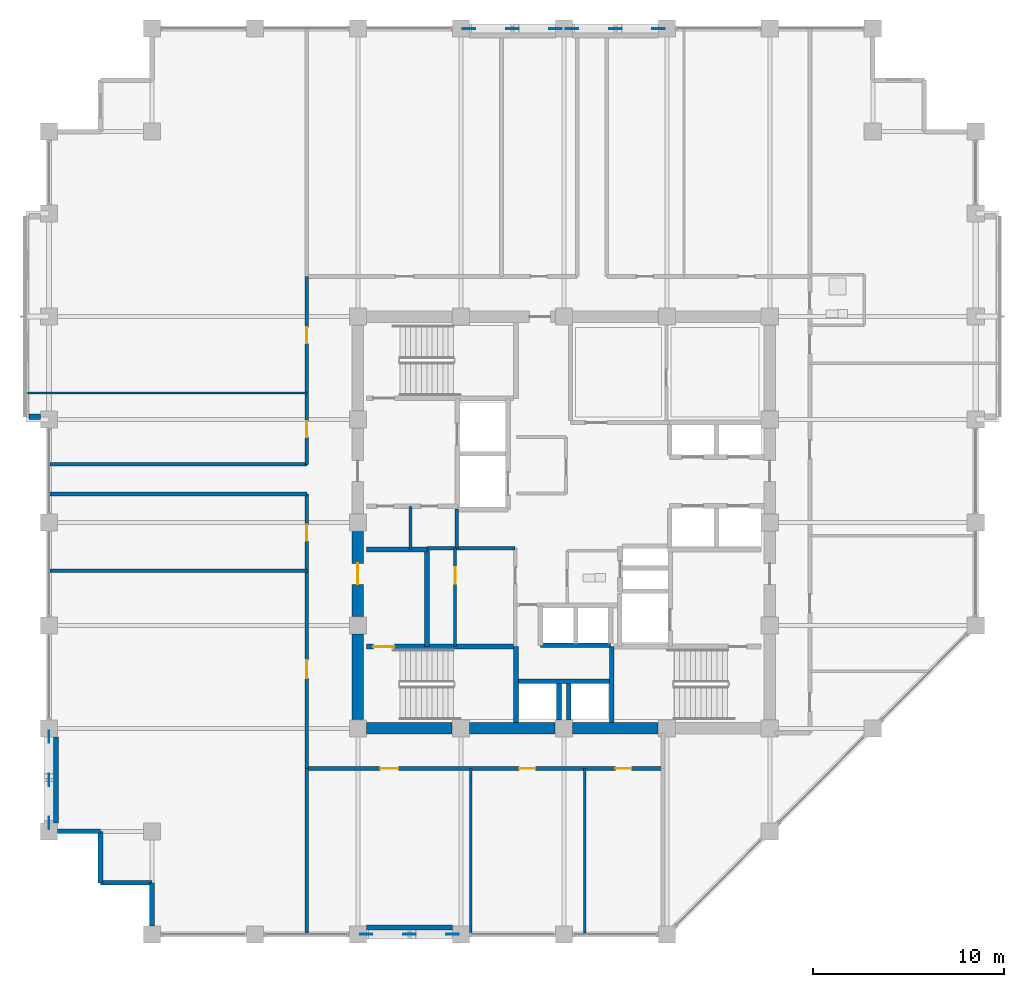
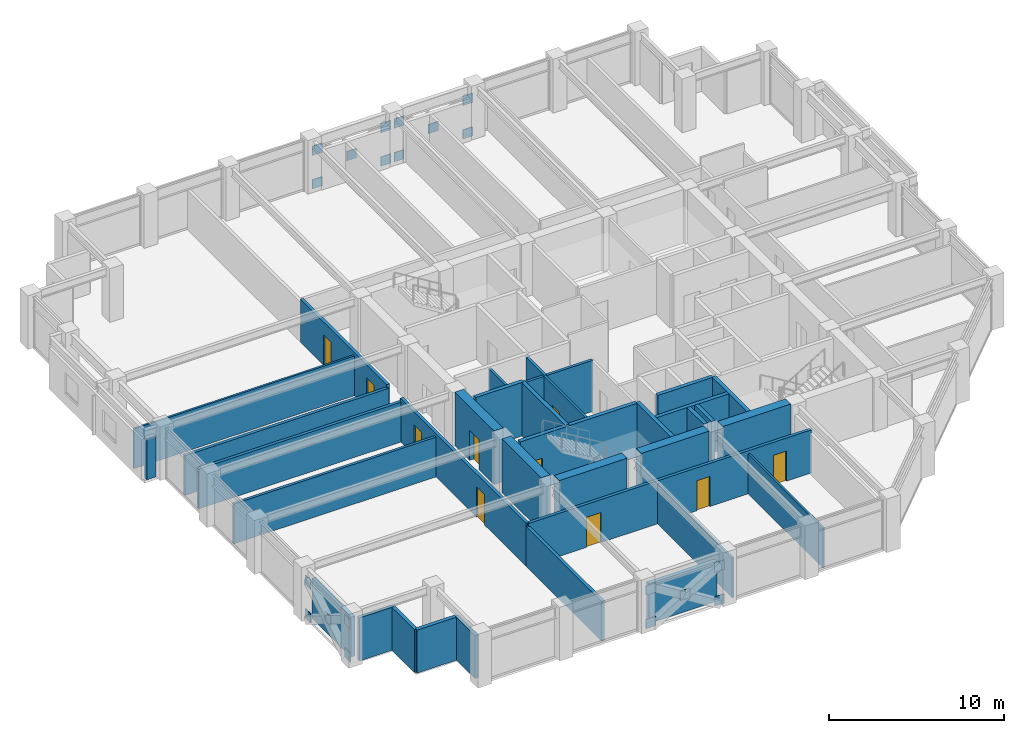
# One storey, part 26 of 32: 35 walls, 20 plates, 10 doors, 10 openings.
"""IFC4 building model written with IfcOpenShell, lengths in metres."""

import ifcopenshell
import ifcopenshell.guid

model = None  # the IFC model being written
_history = None  # IfcOwnerHistory: only IFC2X3 demands one
_inside = {}  # id of a spatial element -> (the spatial element, [elements in it])
_under = {}  # id of a project, library or spatial element -> (it, [spatial elements below it])
_declared = {}  # id of a project -> (the project, [libraries it declares])
_typed = {}  # id of a type object -> (the type object, [elements of that type])
_made_of = {}  # id of a material, layer set ... -> (it, [elements and type objects made of it])


def new_model(schema):
    """Start an empty IFC model of exactly this schema.

    Asked for "IFC4X3", IfcOpenShell would pick the latest addendum, in which some entities
    have other attributes; the version numbers below select the first issue.
    IFC2X3 requires an IfcOwnerHistory on every rooted entity: one is made here for all.
    """
    global model, _history
    if schema == "IFC4X3":
        model = ifcopenshell.file(schema_version=(4, 3, 0, 0))
    else:
        model = ifcopenshell.file(schema=schema)
    _inside.clear()
    _under.clear()
    _declared.clear()
    _typed.clear()
    _made_of.clear()
    _history = None
    if model.schema == "IFC2X3":
        org = make("IfcOrganization", Name="unknown")
        user = make(
            "IfcPersonAndOrganization",
            ThePerson=make("IfcPerson", FamilyName="unknown"),
            TheOrganization=org,
        )
        app = make(
            "IfcApplication",
            ApplicationDeveloper=org,
            Version="unknown",
            ApplicationFullName="unknown",
            ApplicationIdentifier="unknown",
        )
        _history = make(
            "IfcOwnerHistory",
            OwningUser=user,
            OwningApplication=app,
            ChangeAction="ADDED",
            CreationDate=0,
        )
    return model


def make(cls, **values):
    """One entity of the class cls with the attributes given. An attribute that is None is left unset."""
    return model.create_entity(
        cls, **{name: value for name, value in values.items() if value is not None}
    )


def rooted(cls, **values):
    """An entity with a GlobalId (a new one), such as an element, a storey or a relation."""
    return make(cls, GlobalId=ifcopenshell.guid.new(), OwnerHistory=_history, **values)


def si_unit(unit_type, name, prefix=None):
    """IfcSIUnit, for example si_unit("LENGTHUNIT", "METRE", prefix="MILLI")."""
    return make("IfcSIUnit", UnitType=unit_type, Prefix=prefix, Name=name)


def assignment(units):
    """IfcUnitAssignment: the units of a project."""
    return None if units is None else make("IfcUnitAssignment", Units=units)


def point(xyz):
    """IfcCartesianPoint."""
    return None if xyz is None else make("IfcCartesianPoint", Coordinates=xyz)


def direction(xyz):
    """IfcDirection."""
    return None if xyz is None else make("IfcDirection", DirectionRatios=xyz)


def frame(location, z_axis=None, x_axis=None):
    """IfcAxis2Placement3D, a coordinate frame: its origin and axes. An axis left out is left unset."""
    return make(
        "IfcAxis2Placement3D",
        Location=point(location),
        Axis=direction(z_axis),
        RefDirection=direction(x_axis),
    )


def frame_2d(location, x_axis=None):
    """IfcAxis2Placement2D, a coordinate frame in the plane: its origin and x axis."""
    return make(
        "IfcAxis2Placement2D", Location=point(location), RefDirection=direction(x_axis)
    )


def origin():
    """The frame at (0, 0, 0) with its axes left unset."""
    return frame((0.0, 0.0, 0.0))


def origin_2d():
    """The frame at (0, 0) in the plane with its x axis left unset."""
    return frame_2d((0.0, 0.0))


def place(relative_to, where):
    """IfcLocalPlacement: puts the frame where relative to a parent placement (None: the world)."""
    return make(
        "IfcLocalPlacement", PlacementRelTo=relative_to, RelativePlacement=where
    )


def context(
    kind, dimensions, precision=None, world=None, true_north=None, identifier=None
):
    """IfcGeometricRepresentationContext, for example the 3D "Model" context."""
    return make(
        "IfcGeometricRepresentationContext",
        ContextIdentifier=identifier,
        ContextType=kind,
        CoordinateSpaceDimension=dimensions,
        Precision=precision,
        WorldCoordinateSystem=world,
        TrueNorth=true_north,
    )


def subcontext(parent, identifier, kind, view, scale=None):
    """IfcGeometricRepresentationSubContext, for example "Body" below "Model"."""
    return make(
        "IfcGeometricRepresentationSubContext",
        ContextIdentifier=identifier,
        ContextType=kind,
        ParentContext=parent,
        TargetScale=scale,
        TargetView=view,
    )


def project(units=None, contexts=None):
    """IfcProject with its units and contexts."""
    return rooted(
        "IfcProject",
        Name="project",
        RepresentationContexts=contexts,
        UnitsInContext=assignment(units),
    )


def spatial(cls, under=None, at=None, **own):
    """A site, building, storey or space (cls), placed at a placement, below another one or the project."""
    s = rooted(cls, ObjectPlacement=at, **own)
    if under is not None:
        _under.setdefault(under.id(), (under, []))[1].append(s)
    return s


def profile(cls, at=None, kind="AREA", **sizes):
    """A parametric profile (cls). Its sizes go by their IFC names, for example OverallWidth=200.0."""
    return make(cls, ProfileType=kind, Position=at, **sizes)


def rectangle(**sizes):
    """IfcRectangleProfileDef."""
    return profile("IfcRectangleProfileDef", **sizes)


def extrude(swept, where, along, depth):
    """IfcExtrudedAreaSolid: the profile swept, set in the frame where, extruded along a direction by depth."""
    return make(
        "IfcExtrudedAreaSolid",
        SweptArea=swept,
        Position=where,
        ExtrudedDirection=direction(along),
        Depth=depth,
    )


def shape(context_of_items, identifier, shape_type, items):
    """IfcShapeRepresentation: the items that make up one representation, for example the "Body"."""
    return make(
        "IfcShapeRepresentation",
        ContextOfItems=context_of_items,
        RepresentationIdentifier=identifier,
        RepresentationType=shape_type,
        Items=items,
    )


def material(Name=None, Category=None):
    """IfcMaterial."""
    return make("IfcMaterial", Name=Name, Category=Category)


def layer(
    of_material, thickness, ventilated=None, Name=None, Category=None, Priority=None
):
    """IfcMaterialLayer: one layer of a wall or slab, of a material (None: an air gap)."""
    return make(
        "IfcMaterialLayer",
        Material=of_material,
        LayerThickness=thickness,
        IsVentilated=ventilated,
        Name=Name,
        Category=Category,
        Priority=Priority,
    )


def layer_set(layers, Name=None):
    """IfcMaterialLayerSet."""
    return make("IfcMaterialLayerSet", MaterialLayers=layers, LayerSetName=Name)


def made_of(thing, what):
    """Note that an element or type object is made of a material, layer set ...; save() writes the relation."""
    if what is not None:
        _made_of.setdefault(what.id(), (what, []))[1].append(thing)
    return thing


def type_object(cls, material=None, **own):
    """A type object (cls), such as IfcWallType, which elements share."""
    return made_of(rooted(cls, **own), material)


def element(
    cls,
    number,
    at=None,
    inside=None,
    cuts=None,
    type_object=None,
    material=None,
    context=None,
    identifier="Body",
    shape_type=None,
    held_by="IfcProductDefinitionShape",
    body=None,
    shapes=None,
    **own,
):
    """One element of the class cls, such as IfcWall. Its Tag is "e" and its number.

    at: its placement. inside: the storey or other place that contains it. cuts: it is an
    opening in that element (IfcRelVoidsElement). A single representation is given by context,
    identifier, shape_type and body (its items); several are given by shapes. held_by: the class
    of the entity that holds the representations. save() writes the other relations.
    """
    e = rooted(cls, Tag="e%d" % number, ObjectPlacement=at, **own)
    if body is not None:
        shapes = [shape(context, identifier, shape_type, body)]
    if shapes is not None:
        e.Representation = make(held_by, Representations=shapes)
    if inside is not None:
        _inside.setdefault(inside.id(), (inside, []))[1].append(e)
    if cuts is not None:
        rooted(
            "IfcRelVoidsElement", RelatingBuildingElement=cuts, RelatedOpeningElement=e
        )
    if type_object is not None:
        _typed.setdefault(type_object.id(), (type_object, []))[1].append(e)
    return made_of(e, material)


def fill(opening, filler):
    """IfcRelFillsElement: the door or window that sits in an opening."""
    return rooted(
        "IfcRelFillsElement",
        RelatingOpeningElement=opening,
        RelatedBuildingElement=filler,
    )


def aggregate(whole, parts):
    """IfcRelAggregates: a whole, such as a stair, and the parts it consists of."""
    return rooted("IfcRelAggregates", RelatingObject=whole, RelatedObjects=parts)


def save(model, path):
    """Write the relations noted so far, then the file.

    IfcRelAggregates (storeys below a building ...), IfcRelContainedInSpatialStructure (elements
    in a storey), IfcRelDefinesByType, IfcRelAssociatesMaterial and IfcRelDeclares: one each for
    every whole, place, type object, material and project.
    """
    for whole, parts in _under.values():
        aggregate(whole, parts)
    for where, things in _inside.values():
        rooted(
            "IfcRelContainedInSpatialStructure",
            RelatedElements=things,
            RelatingStructure=where,
        )
    for kind, things in _typed.values():
        rooted("IfcRelDefinesByType", RelatedObjects=things, RelatingType=kind)
    for what, things in _made_of.values():
        rooted("IfcRelAssociatesMaterial", RelatedObjects=things, RelatingMaterial=what)
    for by, libraries in _declared.values():
        rooted("IfcRelDeclares", RelatingContext=by, RelatedDefinitions=libraries)
    model.write(path)


model = new_model("IFC4")

# Units and contexts
model_context = context("Model", 3, precision=1e-05, world=origin(), true_north=direction((0.0, 1.0)))
body_context = subcontext(model_context, "Body", "Model", "MODEL_VIEW")
ifc_project = project(units=[si_unit("LENGTHUNIT", "METRE"), si_unit("AREAUNIT", "SQUARE_METRE"), si_unit("VOLUMEUNIT", "CUBIC_METRE"), si_unit("PLANEANGLEUNIT", "RADIAN"), si_unit("MASSUNIT", "GRAM", prefix="KILO")], contexts=[model_context])

# Site, building, storey
site_placement = place(None, origin())
site = spatial("IfcSite", under=ifc_project, at=site_placement, CompositionType="ELEMENT")
building_placement = place(site_placement, origin())
building = spatial("IfcBuilding", under=site, at=building_placement, Name="Surkhivell Harbour Commons", CompositionType="ELEMENT")
storey_placement = place(building_placement, frame((0.0, 0.0, 186.0)))
storey = spatial("IfcBuildingStorey", under=building, at=storey_placement, Name="L48", CompositionType="ELEMENT", Elevation=186.0)

# Plates
ifc_material_1 = material(Name="Steel S460", Category="steel")
ifc_layer_1 = layer(ifc_material_1, 0.044921875)
ifc_layer_set_1 = layer_set([ifc_layer_1], Name="Steel S460")
plate_type = type_object("IfcPlateType", Name="PLT-GUS-650", PredefinedType="USERDEFINED", material=ifc_layer_set_1)
for number, where, z_axis, x_axis, name in (
    (1, (-4.965087890625, 25.89990234375, -0.08935546875), (0.0, 0.0, 1.0), (1.0, 0.0, 0.0), "L48 Perimeter Mega-Brace MB- Corner Gusset N-1"),
    (2, (-0.43505859375, 25.89990234375, -0.08935546875), (0.0, 0.0, 1.0), (1.0, 0.0, 0.0), "L48 Perimeter Mega-Brace MB- Corner Gusset N-2"),
    (3, (-4.965087890625, 25.89990234375, 2.25146484375), (0.0, 0.0, 1.0), (1.0, 0.0, 0.0), "L48 Perimeter Mega-Brace MB- Corner Gusset N-3"),
    (4, (-0.43505859375, 25.89990234375, 2.25146484375), (0.0, 0.0, 1.0), (1.0, 0.0, 0.0), "L48 Perimeter Mega-Brace MB- Corner Gusset N-4"),
    (5, (-2.699951171875, 25.89990234375, 1.0810546875), (0.0, 0.0, 1.0), (1.0, 0.0, 0.0), "L48 Perimeter Mega-Brace MB- Central Crossing Gusset N"),
    (6, (0.43505859375, 25.89990234375, -0.08935546875), (0.0, 0.0, 1.0), (1.0, 0.0, 0.0), "L48 Perimeter Mega-Brace MB- Corner Gusset N2-1"),
    (7, (4.965087890625, 25.89990234375, -0.08935546875), (0.0, 0.0, 1.0), (1.0, 0.0, 0.0), "L48 Perimeter Mega-Brace MB- Corner Gusset N2-2"),
    (8, (0.43505859375, 25.89990234375, 2.25146484375), (0.0, 0.0, 1.0), (1.0, 0.0, 0.0), "L48 Perimeter Mega-Brace MB- Corner Gusset N2-3"),
    (9, (4.965087890625, 25.89990234375, 2.25146484375), (0.0, 0.0, 1.0), (1.0, 0.0, 0.0), "L48 Perimeter Mega-Brace MB- Corner Gusset N2-4"),
    (10, (2.699951171875, 25.89990234375, 1.0810546875), (0.0, 0.0, 1.0), (1.0, 0.0, 0.0), "L48 Perimeter Mega-Brace MB- Central Crossing Gusset N2"),
    (11, (-10.364990234375, -21.60009765625, -0.08935546875), (0.0, 0.0, 1.0), (1.0, 0.0, 0.0), "L48 Perimeter Mega-Brace MB- Corner Gusset S-1"),
    (12, (-5.8349609375, -21.60009765625, -0.08935546875), (0.0, 0.0, 1.0), (1.0, 0.0, 0.0), "L48 Perimeter Mega-Brace MB- Corner Gusset S-2"),
    (13, (-10.364990234375, -21.60009765625, 2.25146484375), (0.0, 0.0, 1.0), (1.0, 0.0, 0.0), "L48 Perimeter Mega-Brace MB- Corner Gusset S-3"),
    (14, (-5.8349609375, -21.60009765625, 2.25146484375), (0.0, 0.0, 1.0), (1.0, 0.0, 0.0), "L48 Perimeter Mega-Brace MB- Corner Gusset S-4"),
    (15, (-8.10009765625, -21.60009765625, 1.0810546875), (0.0, 0.0, 1.0), (1.0, 0.0, 0.0), "L48 Perimeter Mega-Brace MB- Central Crossing Gusset S"),
    (16, (-27.0, -15.764892578125, -0.08935546875), (0.0, 0.0, 1.0), (0.0, 1.0, 0.0), "L48 Perimeter Mega-Brace MB- Corner Gusset W-1"),
    (17, (-27.0, -11.235107421875, -0.08935546875), (0.0, 0.0, 1.0), (0.0, 1.0, 0.0), "L48 Perimeter Mega-Brace MB- Corner Gusset W-2"),
    (18, (-27.0, -15.764892578125, 2.25146484375), (0.0, 0.0, 1.0), (0.0, 1.0, 0.0), "L48 Perimeter Mega-Brace MB- Corner Gusset W-3"),
    (19, (-27.0, -11.235107421875, 2.25146484375), (0.0, 0.0, 1.0), (0.0, 1.0, 0.0), "L48 Perimeter Mega-Brace MB- Corner Gusset W-4"),
    (20, (-27.0, -13.5, 1.0810546875), (0.0, 0.0, 1.0), (0.0, 1.0, 0.0), "L48 Perimeter Mega-Brace MB- Central Crossing Gusset W"),
):
    element("IfcPlate", number, at=place(storey_placement, frame(where, z_axis=z_axis, x_axis=x_axis)), inside=storey, type_object=plate_type, Name=name, ObjectType="GUSSET_PLATE", PredefinedType="USERDEFINED", context=body_context, shape_type="SweptSolid", body=[
        extrude(rectangle(XDim=0.64990234375, YDim=0.044921875, at=origin_2d()), origin(), (0.0, 0.0, 1.0), 0.64990234375),
    ])

# Walls
ifc_material_2 = material(Name="Concrete C60/75", Category="concrete")
ifc_layer_2 = layer(ifc_material_2, 0.60009765625)
ifc_layer_set_2 = layer_set([ifc_layer_2], Name="Concrete C60/75")
wall_type_1 = type_object("IfcWallType", Name="WAL-CORE-600", PredefinedType="SHEAR", material=ifc_layer_set_2)
for number, where, z_axis, x_axis, name in (
    (21, (-10.340087890625, -10.800048828125, 0.0), (0.0, 0.0, 1.0), (1.0, 0.0, 0.0), "L48 Core Shear Wall South 1"),
    (22, (-10.800048828125, -10.340087890625, 0.0), (0.0, 0.0, 1.0), (0.0, 1.0, 0.0), "L48 Core Shear Wall West 1"),
    (23, (-4.93994140625, -10.800048828125, 0.0), (0.0, 0.0, 1.0), (1.0, 0.0, 0.0), "L48 Core Shear Wall South 2"),
):
    element("IfcWall", number, at=place(storey_placement, frame(where, z_axis=z_axis, x_axis=x_axis)), inside=storey, type_object=wall_type_1, Name=name, PredefinedType="SHEAR", context=body_context, shape_type="SweptSolid", body=[
        extrude(rectangle(XDim=4.47998046875, YDim=0.60009765625, at=frame_2d((2.239990234375, 0.0))), origin(), (0.0, 0.0, 1.0), 3.75),
    ])

# Wall, opening, door
wall_1_placement = place(storey_placement, frame((-10.800048828125, -4.93994140625, 0.0), z_axis=(0.0, 0.0, 1.0), x_axis=(0.0, 1.0, 0.0)))
wall_1 = element("IfcWall", 24, at=wall_1_placement, inside=storey, type_object=wall_type_1, Name="L48 Core Shear Wall West 2", PredefinedType="SHEAR", context=body_context, shape_type="SweptSolid", body=[
    extrude(rectangle(XDim=4.47998046875, YDim=0.60009765625, at=frame_2d((2.239990234375, 0.0))), origin(), (0.0, 0.0, 1.0), 3.75),
])
opening_1_placement = place(wall_1_placement, frame((1.68994140625, 0.0, 0.0)))
opening_1 = element("IfcOpeningElement", 25, at=opening_1_placement, cuts=wall_1, Name="Opening ID-2", PredefinedType="OPENING", context=body_context, shape_type="SweptSolid", body=[
    extrude(rectangle(XDim=1.10009765625, YDim=2.10009765625, at=frame_2d((0.550048828125, 1.050048828125))), frame((0.0, 0.31005859375, 0.0), z_axis=(0.0, -1.0, 0.0), x_axis=(1.0, 0.0, 0.0)), (0.0, 0.0, 1.0), 0.6201171875),
])
ifc_material_3 = material(Name="Hardwood-veneered fire-rated door leaf", Category="wood")
door_type_1 = type_object("IfcDoorType", Name="DOR-FD60-1100", OperationType="NOTDEFINED", PredefinedType="DOOR", material=ifc_material_3)
door_1_placement = place(opening_1_placement, origin())
door_1 = element("IfcDoor", 26, at=door_1_placement, inside=storey, type_object=door_type_1, Name="L48 Stair 3 Lobby Corridor Door", OperationType="SINGLE_SWING_LEFT", OverallHeight=2.10009765625, OverallWidth=1.10009765625, PredefinedType="DOOR", context=body_context, shape_type="SweptSolid", body=[
    extrude(rectangle(XDim=1.10009765625, YDim=2.10009765625, at=frame_2d((0.550048828125, 1.050048828125))), frame((0.0, 0.02490234375, 0.0), z_axis=(0.0, -1.0, 0.0), x_axis=(1.0, 0.0, 0.0)), (0.0, 0.0, 1.0), 0.050048828125),
])
fill(opening_1, door_1)

# Walls
wall_2_placement = place(storey_placement, frame((0.4599609375, -10.800048828125, 0.0), z_axis=(0.0, 0.0, 1.0), x_axis=(1.0, 0.0, 0.0)))
element("IfcWall", 27, at=wall_2_placement, inside=storey, type_object=wall_type_1, Name="L48 Core Shear Wall South 3", PredefinedType="SHEAR", context=body_context, shape_type="SweptSolid", body=[
    extrude(rectangle(XDim=4.47998046875, YDim=0.60009765625, at=frame_2d((2.239990234375, 0.0))), origin(), (0.0, 0.0, 1.0), 3.75),
])
ifc_material_4 = material(Name="Flemish-bond kiln brick and precast concrete C45/55", Category="masonry")
ifc_layer_3 = layer(ifc_material_4, 0.300048828125)
ifc_layer_set_3 = layer_set([ifc_layer_3], Name="Flemish-bond kiln brick and precast concrete C45/55")
wall_type_2 = type_object("IfcWallType", Name="WAL-EXT-BRK300", PredefinedType="STANDARD", material=ifc_layer_set_3)
wall_3_placement = place(storey_placement, frame((-28.06005859375, 5.5400390625, 0.0), z_axis=(0.0, 0.0, 1.0), x_axis=(1.0, 0.0, 0.0)))
element("IfcWall", 28, at=wall_3_placement, inside=storey, type_object=wall_type_2, Name="L48 Coloured Box Return Wall 02S", PredefinedType="STANDARD", context=body_context, shape_type="SweptSolid", body=[
    extrude(rectangle(XDim=0.60595703125, YDim=0.300048828125, at=frame_2d((0.302978515625, 0.0))), origin(), (0.0, 0.0, 1.0), 2.85693359375),
])
ifc_material_5 = material(Name="Pale-metal insulated precast concrete C45/55", Category="concrete")
ifc_layer_4 = layer(ifc_material_5, 0.260009765625)
ifc_layer_set_4 = layer_set([ifc_layer_4], Name="Pale-metal insulated precast concrete C45/55")
wall_type_3 = type_object("IfcWallType", Name="WAL-EXT-MTL260", PredefinedType="STANDARD", material=ifc_layer_set_4)
wall_4_placement = place(storey_placement, frame((-10.35205078125, -21.239990234375, 0.0), z_axis=(0.0, 0.0, 1.0), x_axis=(1.0, 0.0, 0.0)))
element("IfcWall", 29, at=wall_4_placement, inside=storey, type_object=wall_type_3, Name="L48 Braced-Bay Insulated Spandrel Backing S", PredefinedType="STANDARD", context=body_context, shape_type="SweptSolid", body=[
    extrude(rectangle(XDim=4.504150390625, YDim=0.260009765625, at=frame_2d((2.251953125, 0.0))), origin(), (0.0, 0.0, 1.0), 2.780029296875),
])
wall_5_placement = place(storey_placement, frame((-26.639892578125, -15.751953125, 0.0), z_axis=(0.0, 0.0, 1.0), x_axis=(0.0, 1.0, 0.0)))
element("IfcWall", 30, at=wall_5_placement, inside=storey, type_object=wall_type_3, Name="L48 Braced-Bay Insulated Spandrel Backing W", PredefinedType="STANDARD", context=body_context, shape_type="SweptSolid", body=[
    extrude(rectangle(XDim=4.50390625, YDim=0.260009765625, at=frame_2d((2.251953125, 0.0))), origin(), (0.0, 0.0, 1.0), 2.780029296875),
])
ifc_material_6 = material(Name="Bronze-ochre cassette precast concrete C45/55", Category="concrete")
ifc_layer_5 = layer(ifc_material_6, 0.239990234375)
ifc_layer_set_5 = layer_set([ifc_layer_5], Name="Bronze-ochre cassette precast concrete C45/55")
wall_type_4 = type_object("IfcWallType", Name="WAL-EXT-OCH240", PredefinedType="STANDARD", material=ifc_layer_set_5)
wall_6_placement = place(storey_placement, frame((-26.552001953125, -16.199951171875, 0.0), z_axis=(0.0, 0.0, 1.0), x_axis=(1.0, 0.0, 0.0)))
element("IfcWall", 31, at=wall_6_placement, inside=storey, type_object=wall_type_4, Name="L48 Serrated Corner Facade Wall 13", PredefinedType="STANDARD", context=body_context, shape_type="SweptSolid", body=[
    extrude(rectangle(XDim=2.251953125, YDim=0.239990234375, at=frame_2d((1.1259765625, 0.0))), origin(), (0.0, 0.0, 1.0), 3.006103515625),
])
for number, where, z_axis, x_axis, name in (
    (32, (-24.300048828125, -16.199951171875, 0.0), (0.0, 0.0, 1.0), (0.0, -1.0, 0.0), "L48 Serrated Corner Facade Wall 14"),
    (33, (-24.300048828125, -18.89990234375, 0.0), (0.0, 0.0, 1.0), (1.0, 0.0, 0.0), "L48 Serrated Corner Facade Wall 15"),
):
    element("IfcWall", number, at=place(storey_placement, frame(where, z_axis=z_axis, x_axis=x_axis)), inside=storey, type_object=wall_type_4, Name=name, PredefinedType="STANDARD", context=body_context, shape_type="SweptSolid", body=[
        extrude(rectangle(XDim=2.699951171875, YDim=0.239990234375, at=frame_2d((1.35009765625, 0.0))), origin(), (0.0, 0.0, 1.0), 3.006103515625),
    ])
wall_7_placement = place(storey_placement, frame((-21.60009765625, -18.89990234375, 0.0), z_axis=(0.0, 0.0, 1.0), x_axis=(0.0, -1.0, 0.0)))
element("IfcWall", 34, at=wall_7_placement, inside=storey, type_object=wall_type_4, Name="L48 Serrated Corner Facade Wall 16", PredefinedType="STANDARD", context=body_context, shape_type="SweptSolid", body=[
    extrude(rectangle(XDim=2.252197265625, YDim=0.239990234375, at=frame_2d((1.1259765625, 0.0))), origin(), (0.0, 0.0, 1.0), 3.006103515625),
])
ifc_material_7 = material(Name="Moisture-resistant acoustic stud partition", Category="other")
ifc_layer_6 = layer(ifc_material_7, 0.125)
ifc_layer_set_6 = layer_set([ifc_layer_6], Name="Moisture-resistant acoustic stud partition")
wall_type_5 = type_object("IfcWallType", Name="WAL-INT-125", PredefinedType="PARTITIONING", material=ifc_layer_set_6)
for number, where, z_axis, x_axis, name in (
    (35, (-4.889892578125, -21.5400390625, 0.0), (0.0, 0.0, 1.0), (0.0, 1.0, 0.0), "L48 South Partition P1"),
    (36, (1.090087890625, -21.5400390625, 0.0), (0.0, 0.0, 1.0), (0.0, 1.0, 0.0), "L48 South Partition P2"),
):
    element("IfcWall", number, at=place(storey_placement, frame(where, z_axis=z_axis, x_axis=x_axis)), inside=storey, type_object=wall_type_5, Name=name, PredefinedType="PARTITIONING", context=body_context, shape_type="SweptSolid", body=[
        extrude(rectangle(XDim=8.64013671875, YDim=0.125, at=frame_2d((4.320068359375, 0.0))), origin(), (0.0, 0.0, 1.0), 2.780029296875),
    ])
wall_8_placement = place(storey_placement, frame((-28.139892578125, 6.7900390625, 0.0), z_axis=(0.0, 0.0, 1.0), x_axis=(1.0, 0.0, 0.0)))
element("IfcWall", 37, at=wall_8_placement, inside=storey, type_object=wall_type_5, Name="L48 North-West Partition P1", PredefinedType="PARTITIONING", context=body_context, shape_type="SweptSolid", body=[
    extrude(rectangle(XDim=14.659912109375, YDim=0.125, at=frame_2d((7.330078125, 0.0))), origin(), (0.0, 0.0, 1.0), 2.780029296875),
])

# Wall, opening, door
ifc_material_8 = material(Name="Twin-stud acoustic fireboard partition", Category="other")
ifc_layer_7 = layer(ifc_material_8, 0.14990234375)
ifc_layer_set_7 = layer_set([ifc_layer_7], Name="Twin-stud acoustic fireboard partition")
wall_type_6 = type_object("IfcWallType", Name="WAL-INT-150", PredefinedType="PARTITIONING", material=ifc_layer_set_7)
wall_9_placement = place(storey_placement, frame((-5.699951171875, -6.510009765625, 0.0), z_axis=(0.0, 0.0, 1.0), x_axis=(0.0, 1.0, 0.0)))
wall_9 = element("IfcWall", 38, at=wall_9_placement, inside=storey, type_object=wall_type_6, Name="L48 Core Cut B Partition", PredefinedType="PARTITIONING", context=body_context, shape_type="SweptSolid", body=[
    extrude(rectangle(XDim=5.159912109375, YDim=0.14990234375, at=frame_2d((2.580078125, 0.0))), origin(), (0.0, 0.0, 1.0), 3.570068359375),
])
opening_2_placement = place(wall_9_placement, frame((3.300048828125, 0.0, 0.0)))
opening_2 = element("IfcOpeningElement", 39, at=opening_2_placement, cuts=wall_9, Name="Opening ID-6", PredefinedType="OPENING", context=body_context, shape_type="SweptSolid", body=[
    extrude(rectangle(XDim=0.85009765625, YDim=2.10009765625, at=frame_2d((0.425048828125, 1.050048828125))), frame((0.0, 0.0849609375, 0.0), z_axis=(0.0, -1.0, 0.0), x_axis=(1.0, 0.0, 0.0)), (0.0, 0.0, 1.0), 0.169921875),
])
door_type_2 = type_object("IfcDoorType", Name="DOR-FD30-850", OperationType="NOTDEFINED", PredefinedType="DOOR", material=ifc_material_3)
door_2_placement = place(opening_2_placement, origin())
door_2 = element("IfcDoor", 40, at=door_2_placement, inside=storey, type_object=door_type_2, Name="L48 Core Focus Study Door", OperationType="SINGLE_SWING_RIGHT", OverallHeight=2.10009765625, OverallWidth=0.85009765625, PredefinedType="DOOR", context=body_context, shape_type="SweptSolid", body=[
    extrude(rectangle(XDim=0.85009765625, YDim=2.10009765625, at=frame_2d((0.425048828125, 1.050048828125))), frame((0.0, 0.02490234375, 0.0), z_axis=(0.0, -1.0, 0.0), x_axis=(1.0, 0.0, 0.0)), (0.0, 0.0, 1.0), 0.050048828125),
])
fill(opening_2, door_2)

# Walls
wall_10_placement = place(storey_placement, frame((-8.050048828125, -1.419921875, 0.0), z_axis=(0.0, 0.0, 1.0), x_axis=(0.0, 1.0, 0.0)))
element("IfcWall", 41, at=wall_10_placement, inside=storey, type_object=wall_type_6, Name="L48 West Seminar Booth Divider", PredefinedType="PARTITIONING", context=body_context, shape_type="SweptSolid", body=[
    extrude(rectangle(XDim=2.27001953125, YDim=0.14990234375, at=frame_2d((1.135009765625, 0.0))), origin(), (0.0, 0.0, 1.0), 3.570068359375),
])
ifc_material_9 = material(Name="High-density acoustic blockwork fire partition", Category="masonry")
ifc_layer_8 = layer(ifc_material_9, 0.175048828125)
ifc_layer_set_8 = layer_set([ifc_layer_8], Name="High-density acoustic blockwork fire partition")
wall_type_7 = type_object("IfcWallType", Name="WAL-INT-175", PredefinedType="PARTITIONING", material=ifc_layer_set_8)
wall_11_placement = place(storey_placement, frame((-7.179931640625, -1.35009765625, 0.0), z_axis=(0.0, 0.0, 1.0), x_axis=(1.0, 0.0, 0.0)))
element("IfcWall", 42, at=wall_11_placement, inside=storey, type_object=wall_type_7, Name="L48 Core Service Bay North Wall", PredefinedType="PARTITIONING", context=body_context, shape_type="SweptSolid", body=[
    extrude(rectangle(XDim=4.6298828125, YDim=0.175048828125, at=frame_2d((2.31494140625, 0.0))), origin(), (0.0, 0.0, 1.0), 3.570068359375),
])
wall_12_placement = place(storey_placement, frame((-5.6201171875, -1.35009765625, 0.0), z_axis=(0.0, 0.0, 1.0), x_axis=(0.0, 1.0, 0.0)))
element("IfcWall", 43, at=wall_12_placement, inside=storey, type_object=wall_type_7, Name="L48 West Core Bay East Wall", PredefinedType="PARTITIONING", context=body_context, shape_type="SweptSolid", body=[
    extrude(rectangle(XDim=2.070068359375, YDim=0.175048828125, at=frame_2d((1.03515625, 0.0))), origin(), (0.0, 0.0, 1.0), 3.570068359375),
])
wall_13_placement = place(storey_placement, frame((-26.93994140625, -2.530029296875, 0.0), z_axis=(0.0, 0.0, 1.0), x_axis=(1.0, 0.0, 0.0)))
element("IfcWall", 44, at=wall_13_placement, inside=storey, type_object=wall_type_7, Name="L48 South-West Partition P1", PredefinedType="PARTITIONING", context=body_context, shape_type="SweptSolid", body=[
    extrude(rectangle(XDim=13.4599609375, YDim=0.175048828125, at=frame_2d((6.72998046875, 0.0))), origin(), (0.0, 0.0, 1.0), 2.780029296875),
])
ifc_material_10 = material(Name="Autoclaved aerated concrete blockwork and fire plaster", Category="masonry")
ifc_layer_9 = layer(ifc_material_10, 0.199951171875)
ifc_layer_set_9 = layer_set([ifc_layer_9], Name="Autoclaved aerated concrete blockwork and fire plaster")
wall_type_8 = type_object("IfcWallType", Name="WAL-INT-200", PredefinedType="PARTITIONING", material=ifc_layer_set_9)
wall_14_placement = place(storey_placement, frame((-13.47998046875, -21.5400390625, 0.0), z_axis=(0.0, 0.0, 1.0), x_axis=(0.0, 1.0, 0.0)))
element("IfcWall", 45, at=wall_14_placement, inside=storey, type_object=wall_type_8, Name="L48 South-West Corner Wall", PredefinedType="PARTITIONING", context=body_context, shape_type="SweptSolid", body=[
    extrude(rectangle(XDim=8.64013671875, YDim=0.199951171875, at=frame_2d((4.320068359375, 0.0))), origin(), (0.0, 0.0, 1.0), 2.780029296875),
])

# Wall, openings, doors
wall_15_placement = place(storey_placement, frame((-13.47998046875, -12.89990234375, 0.0), z_axis=(0.0, 0.0, 1.0), x_axis=(1.0, 0.0, 0.0)))
wall_15 = element("IfcWall", 46, at=wall_15_placement, inside=storey, type_object=wall_type_8, Name="L48 Corridor South Wall", PredefinedType="PARTITIONING", context=body_context, shape_type="SweptSolid", body=[
    extrude(rectangle(XDim=18.679931640625, YDim=0.199951171875, at=frame_2d((9.33984375, 0.0))), origin(), (0.0, 0.0, 1.0), 3.006103515625),
])
opening_3_placement = place(wall_15_placement, frame((3.844970703125, 0.0, 0.0)))
opening_3 = element("IfcOpeningElement", 47, at=opening_3_placement, cuts=wall_15, Name="Opening ID-4", PredefinedType="OPENING", context=body_context, shape_type="SweptSolid", body=[
    extrude(rectangle(XDim=0.949951171875, YDim=2.10009765625, at=frame_2d((0.47509765625, 1.050048828125))), frame((0.0, 0.10986328125, 0.0), z_axis=(0.0, -1.0, 0.0), x_axis=(1.0, 0.0, 0.0)), (0.0, 0.0, 1.0), 0.219970703125),
])
opening_4_placement = place(wall_15_placement, frame((11.1298828125, 0.0, 0.0)))
opening_4 = element("IfcOpeningElement", 48, at=opening_4_placement, cuts=wall_15, Name="Opening ID-6", PredefinedType="OPENING", context=body_context, shape_type="SweptSolid", body=[
    extrude(rectangle(XDim=0.85009765625, YDim=2.10009765625, at=frame_2d((0.425048828125, 1.050048828125))), frame((0.0, 0.10986328125, 0.0), z_axis=(0.0, -1.0, 0.0), x_axis=(1.0, 0.0, 0.0)), (0.0, 0.0, 1.0), 0.219970703125),
])
opening_5_placement = place(wall_15_placement, frame((16.175048828125, 0.0, 0.0)))
opening_5 = element("IfcOpeningElement", 49, at=opening_5_placement, cuts=wall_15, Name="Opening ID-6", PredefinedType="OPENING", context=body_context, shape_type="SweptSolid", body=[
    extrude(rectangle(XDim=0.85009765625, YDim=2.10009765625, at=frame_2d((0.425048828125, 1.050048828125))), frame((0.0, 0.10986328125, 0.0), z_axis=(0.0, -1.0, 0.0), x_axis=(1.0, 0.0, 0.0)), (0.0, 0.0, 1.0), 0.219970703125),
])
door_3_placement = place(opening_4_placement, origin())
door_3 = element("IfcDoor", 50, at=door_3_placement, inside=storey, type_object=door_type_2, Name="L48 Resident Social Lounge 2 South Door", OperationType="SINGLE_SWING_LEFT", OverallHeight=2.10009765625, OverallWidth=0.85009765625, PredefinedType="DOOR", context=body_context, shape_type="SweptSolid", body=[
    extrude(rectangle(XDim=0.85009765625, YDim=2.10009765625, at=frame_2d((0.425048828125, 1.050048828125))), frame((0.0, 0.02490234375, 0.0), z_axis=(0.0, -1.0, 0.0), x_axis=(1.0, 0.0, 0.0)), (0.0, 0.0, 1.0), 0.050048828125),
])
fill(opening_4, door_3)
door_4_placement = place(opening_5_placement, origin())
door_4 = element("IfcDoor", 51, at=door_4_placement, inside=storey, type_object=door_type_2, Name="L48 Resident Social Lounge 3 South Door", OperationType="SINGLE_SWING_RIGHT", OverallHeight=2.10009765625, OverallWidth=0.85009765625, PredefinedType="DOOR", context=body_context, shape_type="SweptSolid", body=[
    extrude(rectangle(XDim=0.85009765625, YDim=2.10009765625, at=frame_2d((0.425048828125, 1.050048828125))), frame((0.0, 0.02490234375, 0.0), z_axis=(0.0, -1.0, 0.0), x_axis=(1.0, 0.0, 0.0)), (0.0, 0.0, 1.0), 0.050048828125),
])
fill(opening_5, door_4)
door_type_3 = type_object("IfcDoorType", Name="DOR-FD60-950", OperationType="NOTDEFINED", PredefinedType="DOOR", material=ifc_material_3)
door_5_placement = place(opening_3_placement, origin())
door_5 = element("IfcDoor", 52, at=door_5_placement, inside=storey, type_object=door_type_3, Name="L48 Resident Social Lounge 1 South Door", OperationType="SINGLE_SWING_RIGHT", OverallHeight=2.10009765625, OverallWidth=0.949951171875, PredefinedType="DOOR", context=body_context, shape_type="SweptSolid", body=[
    extrude(rectangle(XDim=0.949951171875, YDim=2.10009765625, at=frame_2d((0.47509765625, 1.050048828125))), frame((0.0, 0.02490234375, 0.0), z_axis=(0.0, -1.0, 0.0), x_axis=(1.0, 0.0, 0.0)), (0.0, 0.0, 1.0), 0.050048828125),
])
fill(opening_3, door_5)

# Walls
for number, where, z_axis, x_axis, name in (
    (53, (-26.93994140625, 3.050048828125, 0.0), (0.0, 0.0, 1.0), (1.0, 0.0, 0.0), "L48 West Spur North Wall"),
    (54, (-26.93994140625, 1.5, 0.0), (0.0, 0.0, 1.0), (1.0, 0.0, 0.0), "L48 West Spur South Wall"),
):
    element("IfcWall", number, at=place(storey_placement, frame(where, z_axis=z_axis, x_axis=x_axis)), inside=storey, type_object=wall_type_8, Name=name, PredefinedType="PARTITIONING", context=body_context, shape_type="SweptSolid", body=[
        extrude(rectangle(XDim=13.4599609375, YDim=0.199951171875, at=frame_2d((6.72998046875, 0.0))), origin(), (0.0, 0.0, 1.0), 2.780029296875),
    ])

# Wall, openings, doors
wall_16_placement = place(storey_placement, frame((-13.47998046875, 3.050048828125, 0.0), z_axis=(0.0, 0.0, 1.0), x_axis=(0.0, 1.0, 0.0)))
wall_16 = element("IfcWall", 55, at=wall_16_placement, inside=storey, type_object=wall_type_8, Name="L48 Corridor West-Upper Wall", PredefinedType="PARTITIONING", context=body_context, shape_type="SweptSolid", body=[
    extrude(rectangle(XDim=9.849853515625, YDim=0.199951171875, at=frame_2d((4.9248046875, 0.0))), origin(), (0.0, 0.0, 1.0), 3.006103515625),
])
opening_6_placement = place(wall_16_placement, frame((1.419921875, 0.0, 0.0)))
opening_6 = element("IfcOpeningElement", 56, at=opening_6_placement, cuts=wall_16, Name="Opening ID-6", PredefinedType="OPENING", context=body_context, shape_type="SweptSolid", body=[
    extrude(rectangle(XDim=0.85009765625, YDim=2.10009765625, at=frame_2d((0.425048828125, 1.050048828125))), frame((0.0, 0.10986328125, 0.0), z_axis=(0.0, -1.0, 0.0), x_axis=(1.0, 0.0, 0.0)), (0.0, 0.0, 1.0), 0.219970703125),
])
opening_7_placement = place(wall_16_placement, frame((6.344970703125, 0.0, 0.0)))
opening_7 = element("IfcOpeningElement", 57, at=opening_7_placement, cuts=wall_16, Name="Opening ID-6", PredefinedType="OPENING", context=body_context, shape_type="SweptSolid", body=[
    extrude(rectangle(XDim=0.85009765625, YDim=2.10009765625, at=frame_2d((0.425048828125, 1.050048828125))), frame((0.0, 0.10986328125, 0.0), z_axis=(0.0, -1.0, 0.0), x_axis=(1.0, 0.0, 0.0)), (0.0, 0.0, 1.0), 0.219970703125),
])
door_6_placement = place(opening_6_placement, origin())
door_6 = element("IfcDoor", 58, at=door_6_placement, inside=storey, type_object=door_type_2, Name="L48 Harbour Reading Library North-West Door", OperationType="SINGLE_SWING_LEFT", OverallHeight=2.10009765625, OverallWidth=0.85009765625, PredefinedType="DOOR", context=body_context, shape_type="SweptSolid", body=[
    extrude(rectangle(XDim=0.85009765625, YDim=2.10009765625, at=frame_2d((0.425048828125, 1.050048828125))), frame((0.0, 0.02490234375, 0.0), z_axis=(0.0, -1.0, 0.0), x_axis=(1.0, 0.0, 0.0)), (0.0, 0.0, 1.0), 0.050048828125),
])
fill(opening_6, door_6)
door_7_placement = place(opening_7_placement, origin())
door_7 = element("IfcDoor", 59, at=door_7_placement, inside=storey, type_object=door_type_2, Name="L48 Communal Dining Hall North-West Door", OperationType="SINGLE_SWING_RIGHT", OverallHeight=2.10009765625, OverallWidth=0.85009765625, PredefinedType="DOOR", context=body_context, shape_type="SweptSolid", body=[
    extrude(rectangle(XDim=0.85009765625, YDim=2.10009765625, at=frame_2d((0.425048828125, 1.050048828125))), frame((0.0, 0.02490234375, 0.0), z_axis=(0.0, -1.0, 0.0), x_axis=(1.0, 0.0, 0.0)), (0.0, 0.0, 1.0), 0.050048828125),
])
fill(opening_7, door_7)

wall_17_placement = place(storey_placement, frame((-13.47998046875, -12.89990234375, 0.0), z_axis=(0.0, 0.0, 1.0), x_axis=(0.0, 1.0, 0.0)))
wall_17 = element("IfcWall", 60, at=wall_17_placement, inside=storey, type_object=wall_type_8, Name="L48 Corridor West-Lower Wall", PredefinedType="PARTITIONING", context=body_context, shape_type="SweptSolid", body=[
    extrude(rectangle(XDim=14.39990234375, YDim=0.199951171875, at=frame_2d((7.199951171875, 0.0))), origin(), (0.0, 0.0, 1.0), 3.006103515625),
])
opening_8_placement = place(wall_17_placement, frame((4.735107421875, 0.0, 0.0)))
opening_8 = element("IfcOpeningElement", 61, at=opening_8_placement, cuts=wall_17, Name="Opening ID-4", PredefinedType="OPENING", context=body_context, shape_type="SweptSolid", body=[
    extrude(rectangle(XDim=0.949951171875, YDim=2.10009765625, at=frame_2d((0.47509765625, 1.050048828125))), frame((0.0, 0.10986328125, 0.0), z_axis=(0.0, -1.0, 0.0), x_axis=(1.0, 0.0, 0.0)), (0.0, 0.0, 1.0), 0.219970703125),
])
opening_9_placement = place(wall_17_placement, frame((11.93505859375, 0.0, 0.0)))
opening_9 = element("IfcOpeningElement", 62, at=opening_9_placement, cuts=wall_17, Name="Opening ID-6", PredefinedType="OPENING", context=body_context, shape_type="SweptSolid", body=[
    extrude(rectangle(XDim=0.85009765625, YDim=2.10009765625, at=frame_2d((0.425048828125, 1.050048828125))), frame((0.0, 0.10986328125, 0.0), z_axis=(0.0, -1.0, 0.0), x_axis=(1.0, 0.0, 0.0)), (0.0, 0.0, 1.0), 0.219970703125),
])
door_8_placement = place(opening_9_placement, origin())
door_8 = element("IfcDoor", 63, at=door_8_placement, inside=storey, type_object=door_type_2, Name="L48 Resident Advisory Reception Desk South-West Door", OperationType="SINGLE_SWING_RIGHT", OverallHeight=2.10009765625, OverallWidth=0.85009765625, PredefinedType="DOOR", context=body_context, shape_type="SweptSolid", body=[
    extrude(rectangle(XDim=0.85009765625, YDim=2.10009765625, at=frame_2d((0.425048828125, 1.050048828125))), frame((0.0, 0.02490234375, 0.0), z_axis=(0.0, -1.0, 0.0), x_axis=(1.0, 0.0, 0.0)), (0.0, 0.0, 1.0), 0.050048828125),
])
fill(opening_9, door_8)
door_9_placement = place(opening_8_placement, origin())
door_9 = element("IfcDoor", 64, at=door_9_placement, inside=storey, type_object=door_type_3, Name="L48 Zone Concierge Reception Foyer South-West Door", OperationType="SINGLE_SWING_LEFT", OverallHeight=2.10009765625, OverallWidth=0.949951171875, PredefinedType="DOOR", context=body_context, shape_type="SweptSolid", body=[
    extrude(rectangle(XDim=0.949951171875, YDim=2.10009765625, at=frame_2d((0.47509765625, 1.050048828125))), frame((0.0, 0.02490234375, 0.0), z_axis=(0.0, -1.0, 0.0), x_axis=(1.0, 0.0, 0.0)), (0.0, 0.0, 1.0), 0.050048828125),
])
fill(opening_8, door_9)

# Walls
ifc_material_11 = material(Name="Concrete C50/60", Category="concrete")
ifc_layer_10 = layer(ifc_material_11, 0.25)
ifc_layer_set_10 = layer_set([ifc_layer_10], Name="Concrete C50/60")
wall_type_9 = type_object("IfcWallType", Name="WAL-SHAFT-250", PredefinedType="SHEAR", material=ifc_layer_set_10)
for number, where, z_axis, x_axis, name in (
    (65, (-0.25, -10.35009765625, 0.0), (0.0, 0.0, 1.0), (0.0, 1.0, 0.0), "L48 High-Rise Side Wall S"),
    (66, (0.25, -10.35009765625, 0.0), (0.0, 0.0, 1.0), (0.0, 1.0, 0.0), "L48 High-Rise Side Wall S"),
):
    element("IfcWall", number, at=place(storey_placement, frame(where, z_axis=z_axis, x_axis=x_axis)), inside=storey, type_object=wall_type_9, Name=name, PredefinedType="SHEAR", context=body_context, shape_type="SweptSolid", body=[
        extrude(rectangle(XDim=1.91015625, YDim=0.25, at=frame_2d((0.955078125, 0.0))), origin(), (0.0, 0.0, 1.0), 3.75),
    ])
wall_18_placement = place(storey_placement, frame((-1.219970703125, -6.43994140625, 0.0), z_axis=(0.0, 0.0, 1.0), x_axis=(1.0, 0.0, 0.0)))
element("IfcWall", 67, at=wall_18_placement, inside=storey, type_object=wall_type_9, Name="L48 High-Rise North Front Shaft Wall", PredefinedType="SHEAR", context=body_context, shape_type="SweptSolid", body=[
    extrude(rectangle(XDim=3.669921875, YDim=0.25, at=frame_2d((1.8349609375, 0.0))), origin(), (0.0, 0.0, 1.0), 3.75),
])
wall_19_placement = place(storey_placement, frame((-2.47998046875, -8.320068359375, 0.0), z_axis=(0.0, 0.0, 1.0), x_axis=(1.0, 0.0, 0.0)))
element("IfcWall", 68, at=wall_19_placement, inside=storey, type_object=wall_type_9, Name="L48 High-Rise South Front Shaft Wall", PredefinedType="SHEAR", context=body_context, shape_type="SweptSolid", body=[
    extrude(rectangle(XDim=4.929931640625, YDim=0.25, at=frame_2d((2.46484375, 0.0))), origin(), (0.0, 0.0, 1.0), 3.75),
])
for number, where, z_axis, x_axis, name in (
    (69, (2.510009765625, -10.5, 0.0), (0.0, 0.0, 1.0), (0.0, 1.0, 0.0), "L48 Stair ST2 West Shear Wall"),
    (70, (-2.510009765625, -10.5, 0.0), (0.0, 0.0, 1.0), (0.0, 1.0, 0.0), "L48 Stair ST3 East Shear Wall"),
):
    element("IfcWall", number, at=place(storey_placement, frame(where, z_axis=z_axis, x_axis=x_axis)), inside=storey, type_object=wall_type_9, Name=name, PredefinedType="SHEAR", context=body_context, shape_type="SweptSolid", body=[
        extrude(rectangle(XDim=3.989990234375, YDim=0.25, at=frame_2d((1.9951171875, 0.0))), origin(), (0.0, 0.0, 1.0), 3.75),
    ])
wall_20_placement = place(storey_placement, frame((-7.179931640625, -6.510009765625, 0.0), z_axis=(0.0, 0.0, 1.0), x_axis=(0.0, 1.0, 0.0)))
element("IfcWall", 71, at=wall_20_placement, inside=storey, type_object=wall_type_9, Name="L48 Stair 3 Lobby East Wall", PredefinedType="SHEAR", context=body_context, shape_type="SweptSolid", body=[
    extrude(rectangle(XDim=5.090087890625, YDim=0.25, at=frame_2d((2.544921875, 0.0))), origin(), (0.0, 0.0, 1.0), 3.75),
])
wall_21_placement = place(storey_placement, frame((-10.340087890625, -1.419921875, 0.0), z_axis=(0.0, 0.0, 1.0), x_axis=(1.0, 0.0, 0.0)))
element("IfcWall", 72, at=wall_21_placement, inside=storey, type_object=wall_type_9, Name="L48 Stair 3 Lobby North Wall", PredefinedType="SHEAR", context=body_context, shape_type="SweptSolid", body=[
    extrude(rectangle(XDim=3.16015625, YDim=0.25, at=frame_2d((1.580078125, 0.0))), origin(), (0.0, 0.0, 1.0), 3.75),
])

# Wall, opening, door
wall_22_placement = place(storey_placement, frame((-10.340087890625, -6.510009765625, 0.0), z_axis=(0.0, 0.0, 1.0), x_axis=(1.0, 0.0, 0.0)))
wall_22 = element("IfcWall", 73, at=wall_22_placement, inside=storey, type_object=wall_type_9, Name="L48 Stair ST3 North Shear Wall", PredefinedType="SHEAR", context=body_context, shape_type="SweptSolid", body=[
    extrude(rectangle(XDim=7.7001953125, YDim=0.25, at=frame_2d((3.85009765625, 0.0))), origin(), (0.0, 0.0, 1.0), 3.75),
])
opening_10_placement = place(wall_22_placement, frame((0.35009765625, 0.0, 0.0)))
opening_10 = element("IfcOpeningElement", 74, at=opening_10_placement, cuts=wall_22, Name="Opening ID-2", PredefinedType="OPENING", context=body_context, shape_type="SweptSolid", body=[
    extrude(rectangle(XDim=1.10009765625, YDim=2.10009765625, at=frame_2d((0.550048828125, 1.050048828125))), frame((0.0, 0.135009765625, 0.0), z_axis=(0.0, -1.0, 0.0), x_axis=(1.0, 0.0, 0.0)), (0.0, 0.0, 1.0), 0.27001953125),
])
door_10_placement = place(opening_10_placement, origin())
door_10 = element("IfcDoor", 75, at=door_10_placement, inside=storey, type_object=door_type_1, Name="L48 Stair ST3 Exit Door", OperationType="SINGLE_SWING_RIGHT", OverallHeight=2.10009765625, OverallWidth=1.10009765625, PredefinedType="DOOR", context=body_context, shape_type="SweptSolid", body=[
    extrude(rectangle(XDim=1.10009765625, YDim=2.10009765625, at=frame_2d((0.550048828125, 1.050048828125))), frame((0.0, 0.02490234375, 0.0), z_axis=(0.0, -1.0, 0.0), x_axis=(1.0, 0.0, 0.0)), (0.0, 0.0, 1.0), 0.050048828125),
])
fill(opening_10, door_10)

save(model, "model.ifc")
